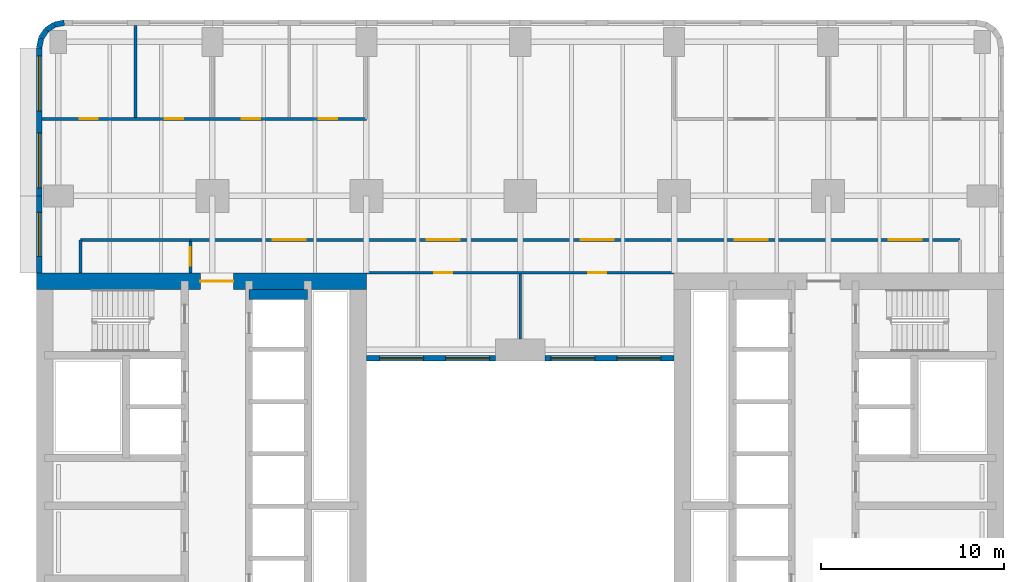
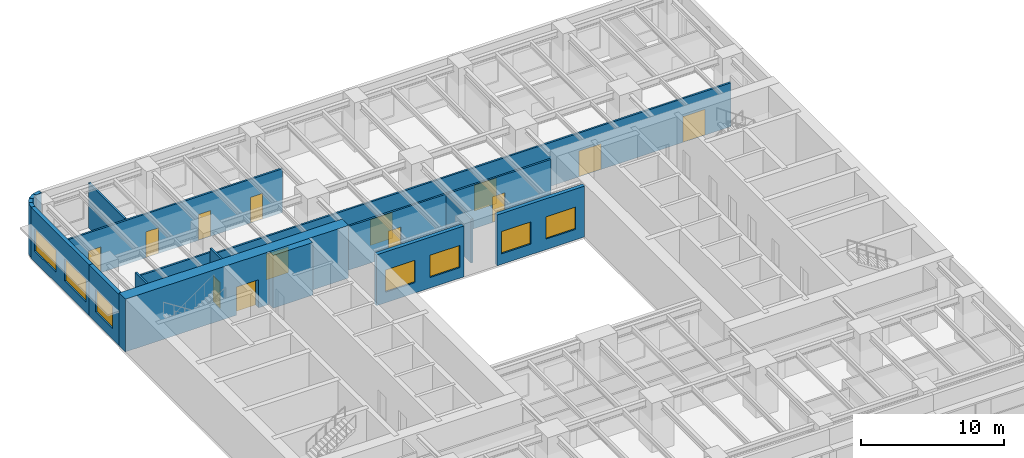
# One storey, part 6 of 14: 18 walls, 13 doors, 7 windows, 20 openings.
"""IFC4 building model written with IfcOpenShell, lengths in metres."""

from ifc_helpers import new_model, si_unit, direction, frame, frame_2d, origin, place, context, subcontext, project, spatial, rectangle, extrude, material, layer, layer_set, type_object, element, fill, save


model = new_model("IFC4")

# Units and contexts
model_context = context("Model", 3, precision=1e-05, world=origin(), true_north=direction((0.0, 1.0)))
body_context = subcontext(model_context, "Body", "Model", "MODEL_VIEW")
ifc_project = project(units=[si_unit("LENGTHUNIT", "METRE"), si_unit("AREAUNIT", "SQUARE_METRE"), si_unit("VOLUMEUNIT", "CUBIC_METRE"), si_unit("PLANEANGLEUNIT", "RADIAN"), si_unit("MASSUNIT", "GRAM", prefix="KILO")], contexts=[model_context])

# Site, building, storey
site_placement = place(None, origin())
site = spatial("IfcSite", under=ifc_project, at=site_placement, CompositionType="ELEMENT")
building_placement = place(site_placement, origin())
building = spatial("IfcBuilding", under=site, at=building_placement, Name="Claustro Exchange Tower", CompositionType="ELEMENT")
storey_placement = place(building_placement, frame((0.0, 0.0, 27.89990234375)))
storey = spatial("IfcBuildingStorey", under=building, at=storey_placement, Name="L06", CompositionType="ELEMENT", Elevation=27.89990234375)

# Wall, openings, doors
ifc_material_1 = material(Name="Gypsum board on steel studs", Category="steel")
ifc_layer_1 = layer(ifc_material_1, 0.14990234375)
ifc_layer_set_1 = layer_set([ifc_layer_1], Name="Gypsum board on steel studs")
wall_type_1 = type_object("IfcWallType", Name="P1 150 plasterboard partition", PredefinedType="PARTITIONING", material=ifc_layer_set_1)
wall_1_placement = place(storey_placement, frame((-0.902099609375, 46.199951171875, 0.0), z_axis=(0.0, 0.0, 1.0), x_axis=(1.0, 0.0, 0.0)))
wall_1 = element("IfcWall", 1, at=wall_1_placement, inside=storey, type_object=wall_type_1, Name="Partition P1 L06", PredefinedType="PARTITIONING", context=body_context, shape_type="SweptSolid", body=[
    extrude(rectangle(XDim=17.7021484375, YDim=0.14990234375, at=frame_2d((8.85107421875, 0.0))), origin(), (0.0, 0.0, 1.0), 3.739990234375),
])
opening_1_placement = place(wall_1_placement, frame((2.052001953125, 0.0, 0.0)))
opening_1 = element("IfcOpeningElement", 2, at=opening_1_placement, cuts=wall_1, Name="Opening D1", PredefinedType="OPENING", context=body_context, shape_type="SweptSolid", body=[
    extrude(rectangle(XDim=1.0, YDim=2.199951171875, at=frame_2d((0.5, 1.10009765625))), frame((0.0, 0.0849609375, 0.0), z_axis=(0.0, -1.0, 0.0), x_axis=(1.0, 0.0, 0.0)), (0.0, 0.0, 1.0), 0.169921875),
])
opening_2_placement = place(wall_1_placement, frame((6.701904296875, 0.0, 0.0)))
opening_2 = element("IfcOpeningElement", 3, at=opening_2_placement, cuts=wall_1, Name="Opening D1", PredefinedType="OPENING", context=body_context, shape_type="SweptSolid", body=[
    extrude(rectangle(XDim=1.0, YDim=2.199951171875, at=frame_2d((0.5, 1.10009765625))), frame((0.0, 0.0849609375, 0.0), z_axis=(0.0, -1.0, 0.0), x_axis=(1.0, 0.0, 0.0)), (0.0, 0.0, 1.0), 0.169921875),
])
opening_3_placement = place(wall_1_placement, frame((10.902099609375, 0.0, 0.0)))
opening_3 = element("IfcOpeningElement", 4, at=opening_3_placement, cuts=wall_1, Name="Opening D1", PredefinedType="OPENING", context=body_context, shape_type="SweptSolid", body=[
    extrude(rectangle(XDim=1.0, YDim=2.199951171875, at=frame_2d((0.5, 1.10009765625))), frame((0.0, 0.0849609375, 0.0), z_axis=(0.0, -1.0, 0.0), x_axis=(1.0, 0.0, 0.0)), (0.0, 0.0, 1.0), 0.169921875),
])
opening_4_placement = place(wall_1_placement, frame((15.10205078125, 0.0, 0.0)))
opening_4 = element("IfcOpeningElement", 5, at=opening_4_placement, cuts=wall_1, Name="Opening D1", PredefinedType="OPENING", context=body_context, shape_type="SweptSolid", body=[
    extrude(rectangle(XDim=1.0, YDim=2.199951171875, at=frame_2d((0.5, 1.10009765625))), frame((0.0, 0.0849609375, 0.0), z_axis=(0.0, -1.0, 0.0), x_axis=(1.0, 0.0, 0.0)), (0.0, 0.0, 1.0), 0.169921875),
])
ifc_material_2 = material(Name="Timber door, oak veneer", Category="wood")
door_type_1 = type_object("IfcDoorType", Name="D1 1000 x 2200 single door", OperationType="SINGLE_SWING_LEFT", PredefinedType="DOOR", material=ifc_material_2)
door_1_placement = place(opening_1_placement, origin())
door_1 = element("IfcDoor", 6, at=door_1_placement, inside=storey, type_object=door_type_1, Name="Door D1 L06", OperationType="SINGLE_SWING_RIGHT", OverallHeight=2.199951171875, OverallWidth=1.0, PredefinedType="DOOR", context=body_context, shape_type="SweptSolid", body=[
    extrude(rectangle(XDim=1.0, YDim=2.199951171875, at=frame_2d((0.5, 1.10009765625))), frame((0.0, 0.02490234375, 0.0), z_axis=(0.0, -1.0, 0.0), x_axis=(1.0, 0.0, 0.0)), (0.0, 0.0, 1.0), 0.050048828125),
])
fill(opening_1, door_1)
door_2_placement = place(opening_2_placement, origin())
door_2 = element("IfcDoor", 7, at=door_2_placement, inside=storey, type_object=door_type_1, Name="Door D1 L06", OperationType="SINGLE_SWING_LEFT", OverallHeight=2.199951171875, OverallWidth=1.0, PredefinedType="DOOR", context=body_context, shape_type="SweptSolid", body=[
    extrude(rectangle(XDim=1.0, YDim=2.199951171875, at=frame_2d((0.5, 1.10009765625))), frame((0.0, 0.02490234375, 0.0), z_axis=(0.0, -1.0, 0.0), x_axis=(1.0, 0.0, 0.0)), (0.0, 0.0, 1.0), 0.050048828125),
])
fill(opening_2, door_2)
door_3_placement = place(opening_3_placement, origin())
door_3 = element("IfcDoor", 8, at=door_3_placement, inside=storey, type_object=door_type_1, Name="Door D1 L06", OperationType="SINGLE_SWING_LEFT", OverallHeight=2.199951171875, OverallWidth=1.0, PredefinedType="DOOR", context=body_context, shape_type="SweptSolid", body=[
    extrude(rectangle(XDim=1.0, YDim=2.199951171875, at=frame_2d((0.5, 1.10009765625))), frame((0.0, 0.02490234375, 0.0), z_axis=(0.0, -1.0, 0.0), x_axis=(1.0, 0.0, 0.0)), (0.0, 0.0, 1.0), 0.050048828125),
])
fill(opening_3, door_3)
door_4_placement = place(opening_4_placement, origin())
door_4 = element("IfcDoor", 9, at=door_4_placement, inside=storey, type_object=door_type_1, Name="Door D1 L06", OperationType="SINGLE_SWING_LEFT", OverallHeight=2.199951171875, OverallWidth=1.0, PredefinedType="DOOR", context=body_context, shape_type="SweptSolid", body=[
    extrude(rectangle(XDim=1.0, YDim=2.199951171875, at=frame_2d((0.5, 1.10009765625))), frame((0.0, 0.02490234375, 0.0), z_axis=(0.0, -1.0, 0.0), x_axis=(1.0, 0.0, 0.0)), (0.0, 0.0, 1.0), 0.050048828125),
])
fill(opening_4, door_4)

# Wall
wall_2_placement = place(storey_placement, frame((4.199951171875, 46.27392578125, 0.0), z_axis=(0.0, 0.0, 1.0), x_axis=(0.0, 1.0, 0.0)))
element("IfcWall", 10, at=wall_2_placement, inside=storey, type_object=wall_type_1, Name="Partition P1 L06", PredefinedType="PARTITIONING", context=body_context, shape_type="SweptSolid", body=[
    extrude(rectangle(XDim=5.028076171875, YDim=0.14990234375, at=frame_2d((2.51416015625, 0.0))), origin(), (0.0, 0.0, 1.0), 3.840087890625),
])

# Wall, openings, doors
wall_3_placement = place(storey_placement, frame((7.197998046875, 39.60009765625, 0.0), z_axis=(0.0, 0.0, 1.0), x_axis=(1.0, 0.0, 0.0)))
wall_3 = element("IfcWall", 11, at=wall_3_placement, inside=storey, type_object=wall_type_1, Name="Partition P1 L06", PredefinedType="PARTITIONING", context=body_context, shape_type="SweptSolid", body=[
    extrude(rectangle(XDim=42.001953125, YDim=0.14990234375, at=frame_2d((21.0009765625, 0.0))), origin(), (0.0, 0.0, 1.0), 3.739990234375),
])
opening_5_placement = place(wall_3_placement, frame((4.501953125, 0.0, 0.0)))
opening_5 = element("IfcOpeningElement", 12, at=opening_5_placement, cuts=wall_3, Name="Opening D2", PredefinedType="OPENING", context=body_context, shape_type="SweptSolid", body=[
    extrude(rectangle(XDim=1.800048828125, YDim=2.199951171875, at=frame_2d((0.89990234375, 1.10009765625))), frame((0.0, 0.0849609375, 0.0), z_axis=(0.0, -1.0, 0.0), x_axis=(1.0, 0.0, 0.0)), (0.0, 0.0, 1.0), 0.169921875),
])
opening_6_placement = place(wall_3_placement, frame((12.902099609375, 0.0, 0.0)))
opening_6 = element("IfcOpeningElement", 13, at=opening_6_placement, cuts=wall_3, Name="Opening D2", PredefinedType="OPENING", context=body_context, shape_type="SweptSolid", body=[
    extrude(rectangle(XDim=1.800048828125, YDim=2.199951171875, at=frame_2d((0.89990234375, 1.10009765625))), frame((0.0, 0.0849609375, 0.0), z_axis=(0.0, -1.0, 0.0), x_axis=(1.0, 0.0, 0.0)), (0.0, 0.0, 1.0), 0.169921875),
])
opening_7_placement = place(wall_3_placement, frame((21.302001953125, 0.0, 0.0)))
opening_7 = element("IfcOpeningElement", 14, at=opening_7_placement, cuts=wall_3, Name="Opening D2", PredefinedType="OPENING", context=body_context, shape_type="SweptSolid", body=[
    extrude(rectangle(XDim=1.800048828125, YDim=2.199951171875, at=frame_2d((0.89990234375, 1.10009765625))), frame((0.0, 0.0849609375, 0.0), z_axis=(0.0, -1.0, 0.0), x_axis=(1.0, 0.0, 0.0)), (0.0, 0.0, 1.0), 0.169921875),
])
opening_8_placement = place(wall_3_placement, frame((29.701904296875, 0.0, 0.0)))
opening_8 = element("IfcOpeningElement", 15, at=opening_8_placement, cuts=wall_3, Name="Opening D2", PredefinedType="OPENING", context=body_context, shape_type="SweptSolid", body=[
    extrude(rectangle(XDim=1.800048828125, YDim=2.199951171875, at=frame_2d((0.89990234375, 1.10009765625))), frame((0.0, 0.0849609375, 0.0), z_axis=(0.0, -1.0, 0.0), x_axis=(1.0, 0.0, 0.0)), (0.0, 0.0, 1.0), 0.169921875),
])
opening_9_placement = place(wall_3_placement, frame((38.10205078125, 0.0, 0.0)))
opening_9 = element("IfcOpeningElement", 16, at=opening_9_placement, cuts=wall_3, Name="Opening D2", PredefinedType="OPENING", context=body_context, shape_type="SweptSolid", body=[
    extrude(rectangle(XDim=1.800048828125, YDim=2.199951171875, at=frame_2d((0.89990234375, 1.10009765625))), frame((0.0, 0.0849609375, 0.0), z_axis=(0.0, -1.0, 0.0), x_axis=(1.0, 0.0, 0.0)), (0.0, 0.0, 1.0), 0.169921875),
])
ifc_material_3 = material(Name="Timber door, oak veneer", Category="wood")
door_type_2 = type_object("IfcDoorType", Name="D2 1800 x 2200 double door", OperationType="DOUBLE_DOOR_SINGLE_SWING", PredefinedType="DOOR", material=ifc_material_3)
door_5_placement = place(opening_5_placement, origin())
door_5 = element("IfcDoor", 17, at=door_5_placement, inside=storey, type_object=door_type_2, Name="Double door D2 L06", OperationType="DOUBLE_DOOR_SINGLE_SWING", OverallHeight=2.199951171875, OverallWidth=1.800048828125, PredefinedType="DOOR", context=body_context, shape_type="SweptSolid", body=[
    extrude(rectangle(XDim=1.800048828125, YDim=2.199951171875, at=frame_2d((0.89990234375, 1.10009765625))), frame((0.0, 0.02490234375, 0.0), z_axis=(0.0, -1.0, 0.0), x_axis=(1.0, 0.0, 0.0)), (0.0, 0.0, 1.0), 0.050048828125),
])
fill(opening_5, door_5)
door_6_placement = place(opening_6_placement, origin())
door_6 = element("IfcDoor", 18, at=door_6_placement, inside=storey, type_object=door_type_2, Name="Double door D2 L06", OperationType="DOUBLE_DOOR_SINGLE_SWING", OverallHeight=2.199951171875, OverallWidth=1.800048828125, PredefinedType="DOOR", context=body_context, shape_type="SweptSolid", body=[
    extrude(rectangle(XDim=1.800048828125, YDim=2.199951171875, at=frame_2d((0.89990234375, 1.10009765625))), frame((0.0, 0.02490234375, 0.0), z_axis=(0.0, -1.0, 0.0), x_axis=(1.0, 0.0, 0.0)), (0.0, 0.0, 1.0), 0.050048828125),
])
fill(opening_6, door_6)
door_7_placement = place(opening_7_placement, origin())
door_7 = element("IfcDoor", 19, at=door_7_placement, inside=storey, type_object=door_type_2, Name="Double door D2 L06", OperationType="DOUBLE_DOOR_SINGLE_SWING", OverallHeight=2.199951171875, OverallWidth=1.800048828125, PredefinedType="DOOR", context=body_context, shape_type="SweptSolid", body=[
    extrude(rectangle(XDim=1.800048828125, YDim=2.199951171875, at=frame_2d((0.89990234375, 1.10009765625))), frame((0.0, 0.02490234375, 0.0), z_axis=(0.0, -1.0, 0.0), x_axis=(1.0, 0.0, 0.0)), (0.0, 0.0, 1.0), 0.050048828125),
])
fill(opening_7, door_7)
door_8_placement = place(opening_8_placement, origin())
door_8 = element("IfcDoor", 20, at=door_8_placement, inside=storey, type_object=door_type_2, Name="Double door D2 L06", OperationType="DOUBLE_DOOR_SINGLE_SWING", OverallHeight=2.199951171875, OverallWidth=1.800048828125, PredefinedType="DOOR", context=body_context, shape_type="SweptSolid", body=[
    extrude(rectangle(XDim=1.800048828125, YDim=2.199951171875, at=frame_2d((0.89990234375, 1.10009765625))), frame((0.0, 0.02490234375, 0.0), z_axis=(0.0, -1.0, 0.0), x_axis=(1.0, 0.0, 0.0)), (0.0, 0.0, 1.0), 0.050048828125),
])
fill(opening_8, door_8)
door_9_placement = place(opening_9_placement, origin())
door_9 = element("IfcDoor", 21, at=door_9_placement, inside=storey, type_object=door_type_2, Name="Double door D2 L06", OperationType="DOUBLE_DOOR_SINGLE_SWING", OverallHeight=2.199951171875, OverallWidth=1.800048828125, PredefinedType="DOOR", context=body_context, shape_type="SweptSolid", body=[
    extrude(rectangle(XDim=1.800048828125, YDim=2.199951171875, at=frame_2d((0.89990234375, 1.10009765625))), frame((0.0, 0.02490234375, 0.0), z_axis=(0.0, -1.0, 0.0), x_axis=(1.0, 0.0, 0.0)), (0.0, 0.0, 1.0), 0.050048828125),
])
fill(opening_9, door_9)

# Wall, opening, door
wall_4_placement = place(storey_placement, frame((7.199951171875, 37.800048828125, 0.0), z_axis=(0.0, 0.0, 1.0), x_axis=(0.0, 1.0, 0.0)))
wall_4 = element("IfcWall", 22, at=wall_4_placement, inside=storey, type_object=wall_type_1, Name="Partition P1 L06", PredefinedType="PARTITIONING", context=body_context, shape_type="SweptSolid", body=[
    extrude(rectangle(XDim=1.725830078125, YDim=0.14990234375, at=frame_2d((0.86279296875, 0.0))), origin(), (0.0, 0.0, 1.0), 4.340087890625),
])
opening_10_placement = place(wall_4_placement, frame((0.39990234375, 0.0, 0.0)))
opening_10 = element("IfcOpeningElement", 23, at=opening_10_placement, cuts=wall_4, Name="Opening D1", PredefinedType="OPENING", context=body_context, shape_type="SweptSolid", body=[
    extrude(rectangle(XDim=1.0, YDim=2.199951171875, at=frame_2d((0.5, 1.10009765625))), frame((0.0, 0.0849609375, 0.0), z_axis=(0.0, -1.0, 0.0), x_axis=(1.0, 0.0, 0.0)), (0.0, 0.0, 1.0), 0.169921875),
])
door_10_placement = place(opening_10_placement, origin())
door_10 = element("IfcDoor", 24, at=door_10_placement, inside=storey, type_object=door_type_1, Name="Door D1 L06", OperationType="SINGLE_SWING_LEFT", OverallHeight=2.199951171875, OverallWidth=1.0, PredefinedType="DOOR", context=body_context, shape_type="SweptSolid", body=[
    extrude(rectangle(XDim=1.0, YDim=2.199951171875, at=frame_2d((0.5, 1.10009765625))), frame((0.0, 0.02490234375, 0.0), z_axis=(0.0, -1.0, 0.0), x_axis=(1.0, 0.0, 0.0)), (0.0, 0.0, 1.0), 0.050048828125),
])
fill(opening_10, door_10)

# Walls
wall_5_placement = place(storey_placement, frame((1.199951171875, 39.60009765625, 0.0), z_axis=(0.0, 0.0, 1.0), x_axis=(1.0, 0.0, 0.0)))
element("IfcWall", 25, at=wall_5_placement, inside=storey, type_object=wall_type_1, Name="Partition P1 L06", PredefinedType="PARTITIONING", context=body_context, shape_type="SweptSolid", body=[
    extrude(rectangle(XDim=6.001953125, YDim=0.14990234375, at=frame_2d((3.0009765625, 0.0))), origin(), (0.0, 0.0, 1.0), 3.97998046875),
])
wall_6_placement = place(storey_placement, frame((1.199951171875, 37.800048828125, 0.0), z_axis=(0.0, 0.0, 1.0), x_axis=(0.0, 1.0, 0.0)))
element("IfcWall", 26, at=wall_6_placement, inside=storey, type_object=wall_type_1, Name="Partition P1 L06", PredefinedType="PARTITIONING", context=body_context, shape_type="SweptSolid", body=[
    extrude(rectangle(XDim=1.800048828125, YDim=0.14990234375, at=frame_2d((0.89990234375, 0.0))), origin(), (0.0, 0.0, 1.0), 4.340087890625),
])
wall_7_placement = place(storey_placement, frame((25.199951171875, 34.198974609375, 0.0), z_axis=(0.0, 0.0, 1.0), x_axis=(0.0, 1.0, 0.0)))
element("IfcWall", 27, at=wall_7_placement, inside=storey, type_object=wall_type_1, Name="Partition P1 L06", PredefinedType="PARTITIONING", context=body_context, shape_type="SweptSolid", body=[
    extrude(rectangle(XDim=3.527099609375, YDim=0.14990234375, at=frame_2d((1.763671875, 0.0))), origin(), (0.0, 0.0, 1.0), 3.739990234375),
])

# Wall, openings, doors
wall_8_placement = place(storey_placement, frame((16.798095703125, 37.800048828125, 0.0), z_axis=(0.0, 0.0, 1.0), x_axis=(1.0, 0.0, 0.0)))
wall_8 = element("IfcWall", 28, at=wall_8_placement, inside=storey, type_object=wall_type_1, Name="Partition P1 L06", PredefinedType="PARTITIONING", context=body_context, shape_type="SweptSolid", body=[
    extrude(rectangle(XDim=16.803955078125, YDim=0.14990234375, at=frame_2d((8.40185546875, 0.0))), origin(), (0.0, 0.0, 1.0), 3.739990234375),
])
opening_11_placement = place(wall_8_placement, frame((3.701904296875, 0.0, 0.0)))
opening_11 = element("IfcOpeningElement", 29, at=opening_11_placement, cuts=wall_8, Name="Opening D1", PredefinedType="OPENING", context=body_context, shape_type="SweptSolid", body=[
    extrude(rectangle(XDim=1.0, YDim=2.199951171875, at=frame_2d((0.5, 1.10009765625))), frame((0.0, 0.0849609375, 0.0), z_axis=(0.0, -1.0, 0.0), x_axis=(1.0, 0.0, 0.0)), (0.0, 0.0, 1.0), 0.169921875),
])
opening_12_placement = place(wall_8_placement, frame((12.10205078125, 0.0, 0.0)))
opening_12 = element("IfcOpeningElement", 30, at=opening_12_placement, cuts=wall_8, Name="Opening D1", PredefinedType="OPENING", context=body_context, shape_type="SweptSolid", body=[
    extrude(rectangle(XDim=1.0, YDim=2.199951171875, at=frame_2d((0.5, 1.10009765625))), frame((0.0, 0.0849609375, 0.0), z_axis=(0.0, -1.0, 0.0), x_axis=(1.0, 0.0, 0.0)), (0.0, 0.0, 1.0), 0.169921875),
])
door_11_placement = place(opening_11_placement, frame((1.0, 0.0, 0.0), z_axis=(0.0, 0.0, 1.0), x_axis=(-1.0, 0.0, 0.0)))
door_11 = element("IfcDoor", 31, at=door_11_placement, inside=storey, type_object=door_type_1, Name="Door D1 L06", OperationType="SINGLE_SWING_RIGHT", OverallHeight=2.199951171875, OverallWidth=1.0, PredefinedType="DOOR", context=body_context, shape_type="SweptSolid", body=[
    extrude(rectangle(XDim=1.0, YDim=2.199951171875, at=frame_2d((0.5, 1.10009765625))), frame((0.0, 0.02490234375, 0.0), z_axis=(0.0, -1.0, 0.0), x_axis=(1.0, 0.0, 0.0)), (0.0, 0.0, 1.0), 0.050048828125),
])
fill(opening_11, door_11)
door_12_placement = place(opening_12_placement, frame((1.0, 0.0, 0.0), z_axis=(0.0, 0.0, 1.0), x_axis=(-1.0, 0.0, 0.0)))
door_12 = element("IfcDoor", 32, at=door_12_placement, inside=storey, type_object=door_type_1, Name="Door D1 L06", OperationType="SINGLE_SWING_RIGHT", OverallHeight=2.199951171875, OverallWidth=1.0, PredefinedType="DOOR", context=body_context, shape_type="SweptSolid", body=[
    extrude(rectangle(XDim=1.0, YDim=2.199951171875, at=frame_2d((0.5, 1.10009765625))), frame((0.0, 0.02490234375, 0.0), z_axis=(0.0, -1.0, 0.0), x_axis=(1.0, 0.0, 0.0)), (0.0, 0.0, 1.0), 0.050048828125),
])
fill(opening_12, door_12)

# Wall, opening, window
ifc_material_4 = material(Name="Concrete HA-40 (C40/50), precast, white cement, acid-etched", Category="concrete")
ifc_layer_2 = layer(ifc_material_4, 0.300048828125)
ifc_layer_set_2 = layer_set([ifc_layer_2], Name="Concrete HA-40 (C40/50), precast, white cement, acid-etched")
wall_type_2 = type_object("IfcWallType", Name="PC1 300 precast concrete pier panel", PredefinedType="SOLIDWALL", material=ifc_layer_set_2)
wall_9_placement = place(storey_placement, frame((-1.050048828125, 37.800048828125, 0.0), z_axis=(0.0, 0.0, 1.0), x_axis=(0.0, 1.0, 0.0)))
wall_9 = element("IfcWall", 33, at=wall_9_placement, inside=storey, type_object=wall_type_2, Name="Precast pier panel PC1 L06", PredefinedType="SOLIDWALL", context=body_context, shape_type="SweptSolid", body=[
    extrude(rectangle(XDim=4.199951171875, YDim=0.300048828125, at=frame_2d((2.10009765625, 0.0))), origin(), (0.0, 0.0, 1.0), 4.340087890625),
])
opening_13_placement = place(wall_9_placement, frame((0.89990234375, 0.0, 0.89990234375)))
opening_13 = element("IfcOpeningElement", 34, at=opening_13_placement, cuts=wall_9, Name="Opening W2", PredefinedType="OPENING", context=body_context, shape_type="SweptSolid", body=[
    extrude(rectangle(XDim=2.39990234375, YDim=1.89990234375, at=frame_2d((1.199951171875, 0.949951171875))), frame((0.0, 0.159912109375, 0.0), z_axis=(0.0, -1.0, 0.0), x_axis=(1.0, 0.0, 0.0)), (0.0, 0.0, 1.0), 0.320068359375),
])
ifc_material_5 = material(Name="Aluminium frame, clear double glazing", Category="aluminium")
window_type_1 = type_object("IfcWindowType", Name="W2 2400 x 1900 window", PartitioningType="SINGLE_PANEL", PredefinedType="WINDOW", material=ifc_material_5)
window_1_placement = place(opening_13_placement, origin())
window_1 = element("IfcWindow", 35, at=window_1_placement, inside=storey, type_object=window_type_1, Name="Window W2 L06", OverallHeight=1.89990234375, OverallWidth=2.39990234375, PartitioningType="SINGLE_PANEL", PredefinedType="WINDOW", context=body_context, shape_type="SweptSolid", body=[
    extrude(rectangle(XDim=2.39990234375, YDim=1.89990234375, at=frame_2d((1.199951171875, 0.949951171875))), frame((0.0, 0.030029296875, 0.0), z_axis=(0.0, -1.0, 0.0), x_axis=(1.0, 0.0, 0.0)), (0.0, 0.0, 1.0), 0.06005859375),
])
fill(opening_13, window_1)

# Wall, openings, windows
wall_10_placement = place(storey_placement, frame((-1.050048828125, 42.0, 0.0), z_axis=(0.0, 0.0, 1.0), x_axis=(0.0, 1.0, 0.0)))
wall_10 = element("IfcWall", 36, at=wall_10_placement, inside=storey, type_object=wall_type_2, Name="Precast pier panel PC1 L06", PredefinedType="SOLIDWALL", context=body_context, shape_type="SweptSolid", body=[
    extrude(rectangle(XDim=8.085205078125, YDim=0.300048828125, at=frame_2d((4.04248046875, 0.0))), origin(), (0.0, 0.0, 1.0), 4.340087890625),
])
opening_14_placement = place(wall_10_placement, frame((0.442626953125, 0.0, 0.89990234375)))
opening_14 = element("IfcOpeningElement", 37, at=opening_14_placement, cuts=wall_10, Name="Opening W1", PredefinedType="OPENING", context=body_context, shape_type="SweptSolid", body=[
    extrude(rectangle(XDim=3.0, YDim=1.89990234375, at=frame_2d((1.5, 0.949951171875))), frame((0.0, 0.159912109375, 0.0), z_axis=(0.0, -1.0, 0.0), x_axis=(1.0, 0.0, 0.0)), (0.0, 0.0, 1.0), 0.320068359375),
])
opening_15_placement = place(wall_10_placement, frame((4.642578125, 0.0, 0.89990234375)))
opening_15 = element("IfcOpeningElement", 38, at=opening_15_placement, cuts=wall_10, Name="Opening W1", PredefinedType="OPENING", context=body_context, shape_type="SweptSolid", body=[
    extrude(rectangle(XDim=3.0, YDim=1.89990234375, at=frame_2d((1.5, 0.949951171875))), frame((0.0, 0.159912109375, 0.0), z_axis=(0.0, -1.0, 0.0), x_axis=(1.0, 0.0, 0.0)), (0.0, 0.0, 1.0), 0.320068359375),
])
ifc_material_6 = material(Name="Aluminium frame, clear double glazing", Category="aluminium")
window_type_2 = type_object("IfcWindowType", Name="W1 3000 x 1900 window", PartitioningType="SINGLE_PANEL", PredefinedType="WINDOW", material=ifc_material_6)
window_2_placement = place(opening_14_placement, origin())
window_2 = element("IfcWindow", 39, at=window_2_placement, inside=storey, type_object=window_type_2, Name="Window W1 L06", OverallHeight=1.89990234375, OverallWidth=3.0, PartitioningType="SINGLE_PANEL", PredefinedType="WINDOW", context=body_context, shape_type="SweptSolid", body=[
    extrude(rectangle(XDim=3.0, YDim=1.89990234375, at=frame_2d((1.5, 0.949951171875))), frame((0.0, 0.030029296875, 0.0), z_axis=(0.0, -1.0, 0.0), x_axis=(1.0, 0.0, 0.0)), (0.0, 0.0, 1.0), 0.06005859375),
])
fill(opening_14, window_2)
window_3_placement = place(opening_15_placement, origin())
window_3 = element("IfcWindow", 40, at=window_3_placement, inside=storey, type_object=window_type_2, Name="Window W1 L06", OverallHeight=1.89990234375, OverallWidth=3.0, PartitioningType="SINGLE_PANEL", PredefinedType="WINDOW", context=body_context, shape_type="SweptSolid", body=[
    extrude(rectangle(XDim=3.0, YDim=1.89990234375, at=frame_2d((1.5, 0.949951171875))), frame((0.0, 0.030029296875, 0.0), z_axis=(0.0, -1.0, 0.0), x_axis=(1.0, 0.0, 0.0)), (0.0, 0.0, 1.0), 0.06005859375),
])
fill(opening_15, window_3)

# Walls
wall_11_placement = place(storey_placement, frame((-1.050048828125, 50.085205078125, 0.0), z_axis=(0.0, 0.0, 1.0), x_axis=(0.195073962632, 0.980788534345, 0.0)))
element("IfcWall", 41, at=wall_11_placement, inside=storey, type_object=wall_type_2, Name="Precast pier panel PC1 L06", PredefinedType="SOLIDWALL", context=body_context, shape_type="SweptSolid", body=[
    extrude(rectangle(XDim=0.540771484375, YDim=0.300048828125, at=frame_2d((0.2705078125, 0.0))), origin(), (0.0, 0.0, 1.0), 4.340087890625),
])
for number, where, z_axis, x_axis, name in (
    (42, (-0.944580078125, 50.615478515625, 0.0), (0.0, 0.0, 1.0), (0.555557463938, 0.831478144188, 0.0), "Precast pier panel PC1 L06"),
    (43, (-0.652587890625, 51.052490234375, 0.0), (0.0, 0.0, 1.0), (0.831478144188, 0.555557463938, 0.0), "Precast pier panel PC1 L06"),
):
    element("IfcWall", number, at=place(storey_placement, frame(where, z_axis=z_axis, x_axis=x_axis)), inside=storey, type_object=wall_type_2, Name=name, PredefinedType="SOLIDWALL", context=body_context, shape_type="SweptSolid", body=[
        extrude(rectangle(XDim=0.525634765625, YDim=0.300048828125, at=frame_2d((0.2626953125, 0.0))), origin(), (0.0, 0.0, 1.0), 4.340087890625),
    ])
wall_12_placement = place(storey_placement, frame((-0.215576171875, 51.344482421875, 0.0), z_axis=(0.0, 0.0, 1.0), x_axis=(0.980788534345, 0.195073962632, 0.0)))
element("IfcWall", 44, at=wall_12_placement, inside=storey, type_object=wall_type_2, Name="Precast pier panel PC1 L06", PredefinedType="SOLIDWALL", context=body_context, shape_type="SweptSolid", body=[
    extrude(rectangle(XDim=0.540771484375, YDim=0.300048828125, at=frame_2d((0.2705078125, 0.0))), origin(), (0.0, 0.0, 1.0), 4.340087890625),
])

# Wall, openings, windows
wall_13_placement = place(storey_placement, frame((16.800048828125, 33.14990234375, 0.0), z_axis=(0.0, 0.0, 1.0), x_axis=(1.0, 0.0, 0.0)))
wall_13 = element("IfcWall", 45, at=wall_13_placement, inside=storey, type_object=wall_type_2, Name="Precast pier panel PC1 L06", PredefinedType="SOLIDWALL", context=body_context, shape_type="SweptSolid", body=[
    extrude(rectangle(XDim=7.050048828125, YDim=0.300048828125, at=frame_2d((3.52490234375, 0.0))), origin(), (0.0, 0.0, 1.0), 4.340087890625),
])
opening_16_placement = place(wall_13_placement, frame((0.72509765625, 0.0, 0.89990234375)))
opening_16 = element("IfcOpeningElement", 46, at=opening_16_placement, cuts=wall_13, Name="Opening W2", PredefinedType="OPENING", context=body_context, shape_type="SweptSolid", body=[
    extrude(rectangle(XDim=2.39990234375, YDim=1.89990234375, at=frame_2d((1.199951171875, 0.949951171875))), frame((0.0, 0.159912109375, 0.0), z_axis=(0.0, -1.0, 0.0), x_axis=(1.0, 0.0, 0.0)), (0.0, 0.0, 1.0), 0.320068359375),
])
opening_17_placement = place(wall_13_placement, frame((4.324951171875, 0.0, 0.89990234375)))
opening_17 = element("IfcOpeningElement", 47, at=opening_17_placement, cuts=wall_13, Name="Opening W2", PredefinedType="OPENING", context=body_context, shape_type="SweptSolid", body=[
    extrude(rectangle(XDim=2.39990234375, YDim=1.89990234375, at=frame_2d((1.199951171875, 0.949951171875))), frame((0.0, 0.159912109375, 0.0), z_axis=(0.0, -1.0, 0.0), x_axis=(1.0, 0.0, 0.0)), (0.0, 0.0, 1.0), 0.320068359375),
])
window_4_placement = place(opening_16_placement, origin())
window_4 = element("IfcWindow", 48, at=window_4_placement, inside=storey, type_object=window_type_1, Name="Window W2 L06", OverallHeight=1.89990234375, OverallWidth=2.39990234375, PartitioningType="SINGLE_PANEL", PredefinedType="WINDOW", context=body_context, shape_type="SweptSolid", body=[
    extrude(rectangle(XDim=2.39990234375, YDim=1.89990234375, at=frame_2d((1.199951171875, 0.949951171875))), frame((0.0, 0.030029296875, 0.0), z_axis=(0.0, -1.0, 0.0), x_axis=(1.0, 0.0, 0.0)), (0.0, 0.0, 1.0), 0.06005859375),
])
fill(opening_16, window_4)
window_5_placement = place(opening_17_placement, origin())
window_5 = element("IfcWindow", 49, at=window_5_placement, inside=storey, type_object=window_type_1, Name="Window W2 L06", OverallHeight=1.89990234375, OverallWidth=2.39990234375, PartitioningType="SINGLE_PANEL", PredefinedType="WINDOW", context=body_context, shape_type="SweptSolid", body=[
    extrude(rectangle(XDim=2.39990234375, YDim=1.89990234375, at=frame_2d((1.199951171875, 0.949951171875))), frame((0.0, 0.030029296875, 0.0), z_axis=(0.0, -1.0, 0.0), x_axis=(1.0, 0.0, 0.0)), (0.0, 0.0, 1.0), 0.06005859375),
])
fill(opening_17, window_5)

wall_14_placement = place(storey_placement, frame((26.550048828125, 33.14990234375, 0.0), z_axis=(0.0, 0.0, 1.0), x_axis=(1.0, 0.0, 0.0)))
wall_14 = element("IfcWall", 50, at=wall_14_placement, inside=storey, type_object=wall_type_2, Name="Precast pier panel PC1 L06", PredefinedType="SOLIDWALL", context=body_context, shape_type="SweptSolid", body=[
    extrude(rectangle(XDim=7.050048828125, YDim=0.300048828125, at=frame_2d((3.52490234375, 0.0))), origin(), (0.0, 0.0, 1.0), 4.340087890625),
])
opening_18_placement = place(wall_14_placement, frame((0.324951171875, 0.0, 0.89990234375)))
opening_18 = element("IfcOpeningElement", 51, at=opening_18_placement, cuts=wall_14, Name="Opening W2", PredefinedType="OPENING", context=body_context, shape_type="SweptSolid", body=[
    extrude(rectangle(XDim=2.39990234375, YDim=1.89990234375, at=frame_2d((1.199951171875, 0.949951171875))), frame((0.0, 0.159912109375, 0.0), z_axis=(0.0, -1.0, 0.0), x_axis=(1.0, 0.0, 0.0)), (0.0, 0.0, 1.0), 0.320068359375),
])
opening_19_placement = place(wall_14_placement, frame((3.925048828125, 0.0, 0.89990234375)))
opening_19 = element("IfcOpeningElement", 52, at=opening_19_placement, cuts=wall_14, Name="Opening W2", PredefinedType="OPENING", context=body_context, shape_type="SweptSolid", body=[
    extrude(rectangle(XDim=2.39990234375, YDim=1.89990234375, at=frame_2d((1.199951171875, 0.949951171875))), frame((0.0, 0.159912109375, 0.0), z_axis=(0.0, -1.0, 0.0), x_axis=(1.0, 0.0, 0.0)), (0.0, 0.0, 1.0), 0.320068359375),
])
window_6_placement = place(opening_18_placement, origin())
window_6 = element("IfcWindow", 53, at=window_6_placement, inside=storey, type_object=window_type_1, Name="Window W2 L06", OverallHeight=1.89990234375, OverallWidth=2.39990234375, PartitioningType="SINGLE_PANEL", PredefinedType="WINDOW", context=body_context, shape_type="SweptSolid", body=[
    extrude(rectangle(XDim=2.39990234375, YDim=1.89990234375, at=frame_2d((1.199951171875, 0.949951171875))), frame((0.0, 0.030029296875, 0.0), z_axis=(0.0, -1.0, 0.0), x_axis=(1.0, 0.0, 0.0)), (0.0, 0.0, 1.0), 0.06005859375),
])
fill(opening_18, window_6)
window_7_placement = place(opening_19_placement, origin())
window_7 = element("IfcWindow", 54, at=window_7_placement, inside=storey, type_object=window_type_1, Name="Window W2 L06", OverallHeight=1.89990234375, OverallWidth=2.39990234375, PartitioningType="SINGLE_PANEL", PredefinedType="WINDOW", context=body_context, shape_type="SweptSolid", body=[
    extrude(rectangle(XDim=2.39990234375, YDim=1.89990234375, at=frame_2d((1.199951171875, 0.949951171875))), frame((0.0, 0.030029296875, 0.0), z_axis=(0.0, -1.0, 0.0), x_axis=(1.0, 0.0, 0.0)), (0.0, 0.0, 1.0), 0.06005859375),
])
fill(opening_19, window_7)

# Wall, opening, door
ifc_material_7 = material(Name="Concrete HA-70 (C70/85)", Category="concrete")
ifc_layer_3 = layer(ifc_material_7, 0.89990234375)
ifc_layer_set_3 = layer_set([ifc_layer_3], Name="Concrete HA-70 (C70/85)")
wall_type_3 = type_object("IfcWallType", Name="SW1 900 core shear wall", PredefinedType="SHEAR", material=ifc_layer_set_3)
wall_15_placement = place(storey_placement, frame((-1.199951171875, 37.35009765625, 0.0), z_axis=(0.0, 0.0, 1.0), x_axis=(1.0, 0.0, 0.0)))
wall_15 = element("IfcWall", 55, at=wall_15_placement, inside=storey, type_object=wall_type_3, Name="Core wall SW1 W core N face L06", PredefinedType="SHEAR", context=body_context, shape_type="SweptSolid", body=[
    extrude(rectangle(XDim=18.0, YDim=0.89990234375, at=frame_2d((9.0, 0.0))), origin(), (0.0, 0.0, 1.0), 4.5),
])
opening_20_placement = place(wall_15_placement, frame((8.949951171875, 0.0, 0.0)))
opening_20 = element("IfcOpeningElement", 56, at=opening_20_placement, cuts=wall_15, Name="Opening D3", PredefinedType="OPENING", context=body_context, shape_type="SweptSolid", body=[
    extrude(rectangle(XDim=1.800048828125, YDim=2.39990234375, at=frame_2d((0.89990234375, 1.199951171875))), frame((0.0, 0.4599609375, 0.0), z_axis=(0.0, -1.0, 0.0), x_axis=(1.0, 0.0, 0.0)), (0.0, 0.0, 1.0), 0.919921875),
])
ifc_material_8 = material(Name="Steel fire door, painted", Category="steel")
door_type_3 = type_object("IfcDoorType", Name="D3 1800 x 2400 fire-rated lobby double door", OperationType="DOUBLE_DOOR_SINGLE_SWING", PredefinedType="DOOR", material=ifc_material_8)
door_13_placement = place(opening_20_placement, frame((1.800048828125, 0.0, 0.0), z_axis=(0.0, 0.0, 1.0), x_axis=(-1.0, 0.0, 0.0)))
door_13 = element("IfcDoor", 57, at=door_13_placement, inside=storey, type_object=door_type_3, Name="Lift lobby door D3 L06", OperationType="DOUBLE_DOOR_SINGLE_SWING", OverallHeight=2.39990234375, OverallWidth=1.800048828125, PredefinedType="DOOR", context=body_context, shape_type="SweptSolid", body=[
    extrude(rectangle(XDim=1.800048828125, YDim=2.39990234375, at=frame_2d((0.89990234375, 1.199951171875))), frame((0.0, 0.02490234375, 0.0), z_axis=(0.0, -1.0, 0.0), x_axis=(1.0, 0.0, 0.0)), (0.0, 0.0, 1.0), 0.050048828125),
])
fill(opening_20, door_13)

# Wall
ifc_material_9 = material(Name="Concrete HA-50 (C50/60)", Category="concrete")
ifc_layer_4 = layer(ifc_material_9, 0.550048828125)
ifc_layer_set_4 = layer_set([ifc_layer_4], Name="Concrete HA-50 (C50/60)")
wall_type_4 = type_object("IfcWallType", Name="SW6 550 lift shaft end wall", PredefinedType="SHEAR", material=ifc_layer_set_4)
wall_16_placement = place(storey_placement, frame((10.39990234375, 36.625, 0.0), z_axis=(0.0, 0.0, 1.0), x_axis=(1.0, 0.0, 0.0)))
element("IfcWall", 58, at=wall_16_placement, inside=storey, type_object=wall_type_4, Name="Lift shaft wall W core L06", PredefinedType="SHEAR", context=body_context, shape_type="SweptSolid", body=[
    extrude(rectangle(XDim=3.2001953125, YDim=0.550048828125, at=frame_2d((1.60009765625, 0.0))), origin(), (0.0, 0.0, 1.0), 4.5),
])

save(model, "model.ifc")
